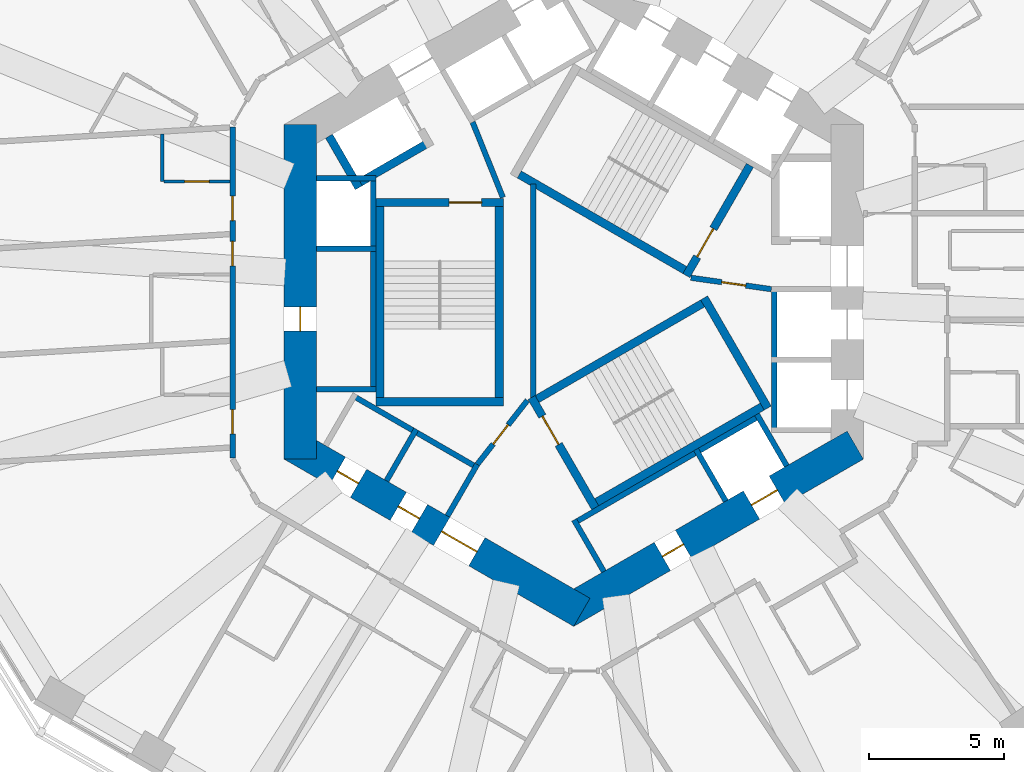
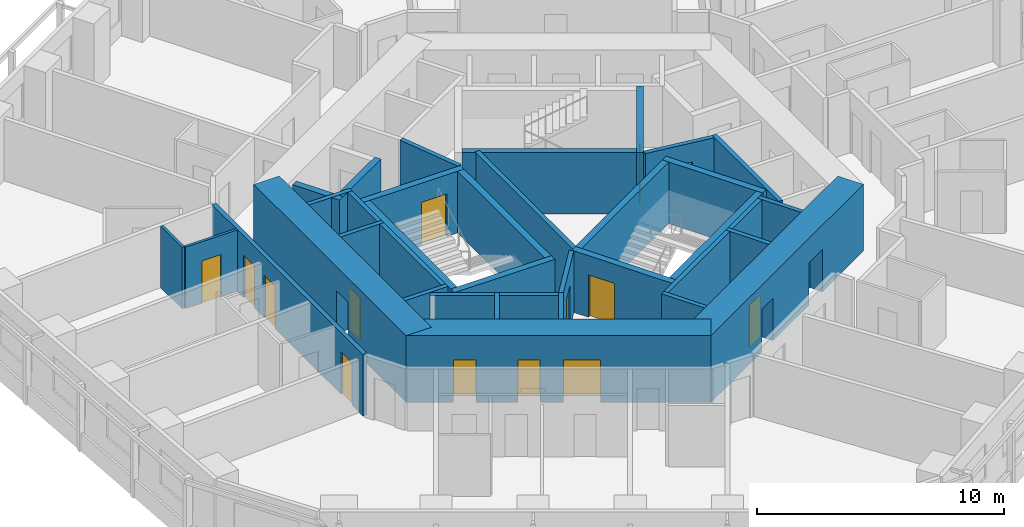
# One storey, part 5 of 12: 34 walls, 15 doors, 15 openings.
"""IFC4 building model written with IfcOpenShell, lengths in metres."""

from ifc_helpers import new_model, si_unit, direction, frame, frame_2d, origin, place, context, subcontext, project, spatial, rectangle, extrude, material, layer, layer_set, type_object, element, fill, save


model = new_model("IFC4")

# Units and contexts
model_context = context("Model", 3, precision=1e-05, world=origin(), true_north=direction((0.0, 1.0)))
body_context = subcontext(model_context, "Body", "Model", "MODEL_VIEW")
ifc_project = project(units=[si_unit("LENGTHUNIT", "METRE"), si_unit("AREAUNIT", "SQUARE_METRE"), si_unit("VOLUMEUNIT", "CUBIC_METRE"), si_unit("PLANEANGLEUNIT", "RADIAN"), si_unit("MASSUNIT", "GRAM", prefix="KILO")], contexts=[model_context])

# Site, building, storey
site_placement = place(None, origin())
site = spatial("IfcSite", under=ifc_project, at=site_placement, CompositionType="ELEMENT")
building_placement = place(site_placement, origin())
building = spatial("IfcBuilding", under=site, at=building_placement, Name="Vanh Sen Convention Tower", CompositionType="ELEMENT")
storey_placement = place(building_placement, frame((0.0, 0.0, 57.199951171875)))
storey = spatial("IfcBuildingStorey", under=building, at=storey_placement, Name="L11", CompositionType="ELEMENT", Elevation=57.199951171875)

# Wall
ifc_material_1 = material(Name="Moisture-resistant gypsum board on steel studs", Category="steel")
ifc_layer_1 = layer(ifc_material_1, 0.1201171875)
ifc_layer_set_1 = layer_set([ifc_layer_1], Name="Moisture-resistant gypsum board on steel studs")
wall_type_1 = type_object("IfcWallType", Name="Bathroom partition 120", PredefinedType="PARTITIONING", material=ifc_layer_set_1)
wall_1_placement = place(storey_placement, frame((-15.199951171875, 4.081298828125, 0.0), z_axis=(0.0, 0.0, 1.0), x_axis=(0.0, 1.0, 0.0)))
element("IfcWall", 1, at=wall_1_placement, inside=storey, type_object=wall_type_1, Name="Bathroom partition 120", PredefinedType="PARTITIONING", context=body_context, shape_type="SweptSolid", body=[
    extrude(rectangle(XDim=1.740966796875, YDim=0.1201171875, at=frame_2d((0.87060546875, 0.0))), origin(), (0.0, 0.0, 1.0), 3.050048828125),
])

# Wall, opening, door
wall_2_placement = place(storey_placement, frame((-12.699951171875, 4.081298828125, 0.0), z_axis=(0.0, 0.0, 1.0), x_axis=(-1.0, 0.0, 0.0)))
wall_2 = element("IfcWall", 2, at=wall_2_placement, inside=storey, type_object=wall_type_1, Name="Bathroom partition 120", PredefinedType="PARTITIONING", context=body_context, shape_type="SweptSolid", body=[
    extrude(rectangle(XDim=2.43994140625, YDim=0.1201171875, at=frame_2d((1.219970703125, 0.0))), origin(), (0.0, 0.0, 1.0), 3.050048828125),
])
opening_1_placement = place(wall_2_placement, frame((0.77001953125, 0.0, 0.0)))
opening_1 = element("IfcOpeningElement", 3, at=opening_1_placement, cuts=wall_2, Name="Opening D10121", PredefinedType="OPENING", context=body_context, shape_type="SweptSolid", body=[
    extrude(rectangle(XDim=0.89990234375, YDim=2.10009765625, at=frame_2d((0.449951171875, 1.050048828125))), frame((0.0, 0.070068359375, 0.0), z_axis=(0.0, -1.0, 0.0), x_axis=(1.0, 0.0, 0.0)), (0.0, 0.0, 1.0), 0.14013671875),
])
ifc_material_2 = material(Name="Laminate door in steel frame", Category="steel")
door_type_1 = type_object("IfcDoorType", Name="En-suite door 900", OperationType="SINGLE_SWING_LEFT", PredefinedType="DOOR", material=ifc_material_2)
door_1_placement = place(opening_1_placement, origin())
door_1 = element("IfcDoor", 4, at=door_1_placement, inside=storey, type_object=door_type_1, Name="En-suite door D10121", OperationType="SINGLE_SWING_LEFT", OverallHeight=2.10009765625, OverallWidth=0.89990234375, PredefinedType="DOOR", context=body_context, shape_type="SweptSolid", body=[
    extrude(rectangle(XDim=0.89990234375, YDim=2.10009765625, at=frame_2d((0.449951171875, 1.050048828125))), frame((0.0, 0.02490234375, 0.0), z_axis=(0.0, -1.0, 0.0), x_axis=(1.0, 0.0, 0.0)), (0.0, 0.0, 1.0), 0.050048828125),
])
fill(opening_1, door_1)

ifc_material_3 = material(Name="Concrete C80/95", Category="concrete")
ifc_layer_2 = layer(ifc_material_3, 1.199951171875)
ifc_layer_set_2 = layer_set([ifc_layer_2], Name="Concrete C80/95")
wall_type_2 = type_object("IfcWallType", Name="Core outer wall 1200 C80/95", PredefinedType="SHEAR", material=ifc_layer_set_2)
wall_3_placement = place(storey_placement, frame((-10.10009765625, 6.177490234375, 0.0), z_axis=(0.0, 0.0, 1.0), x_axis=(0.0, -1.0, 0.0)))
wall_3 = element("IfcWall", 5, at=wall_3_placement, inside=storey, type_object=wall_type_2, Name="Core wall face W L11", PredefinedType="SHEAR", context=body_context, shape_type="SweptSolid", body=[
    extrude(rectangle(XDim=12.35498046875, YDim=1.199951171875, at=frame_2d((6.177490234375, 0.0))), origin(), (0.0, 0.0, 1.0), 3.300048828125),
])
opening_2_placement = place(wall_3_placement, frame((6.7275390625, 0.0, 0.0)))
opening_2 = element("IfcOpeningElement", 6, at=opening_2_placement, cuts=wall_3, Name="Opening D10009", PredefinedType="OPENING", context=body_context, shape_type="SweptSolid", body=[
    extrude(rectangle(XDim=0.89990234375, YDim=2.10009765625, at=frame_2d((0.449951171875, 1.050048828125))), frame((0.0, 0.60986328125, 0.0), z_axis=(0.0, -1.0, 0.0), x_axis=(1.0, 0.0, 0.0)), (0.0, 0.0, 1.0), 1.219970703125),
])
ifc_material_4 = material(Name="Steel S355", Category="steel")
door_type_2 = type_object("IfcDoorType", Name="Plant door 900", OperationType="SINGLE_SWING_LEFT", PredefinedType="DOOR", material=ifc_material_4)
door_2_placement = place(opening_2_placement, origin())
door_2 = element("IfcDoor", 7, at=door_2_placement, inside=storey, type_object=door_type_2, Name="Plant door D10009", OperationType="SINGLE_SWING_LEFT", OverallHeight=2.10009765625, OverallWidth=0.89990234375, PredefinedType="DOOR", context=body_context, shape_type="SweptSolid", body=[
    extrude(rectangle(XDim=0.89990234375, YDim=2.10009765625, at=frame_2d((0.449951171875, 1.050048828125))), frame((0.0, 0.02490234375, 0.0), z_axis=(0.0, -1.0, 0.0), x_axis=(1.0, 0.0, 0.0)), (0.0, 0.0, 1.0), 0.050048828125),
])
fill(opening_2, door_2)

# Wall, openings, doors
wall_4_placement = place(storey_placement, frame((-10.39990234375, -5.657958984375, 0.0), z_axis=(0.0, 0.0, 1.0), x_axis=(0.866021384402, -0.500006961711, 0.0)))
wall_4 = element("IfcWall", 8, at=wall_4_placement, inside=storey, type_object=wall_type_2, Name="Core wall face SW L11", PredefinedType="SHEAR", context=body_context, shape_type="SweptSolid", body=[
    extrude(rectangle(XDim=12.355224609375, YDim=1.199951171875, at=frame_2d((6.177734375, 0.0))), origin(), (0.0, 0.0, 1.0), 3.300048828125),
])
opening_3_placement = place(wall_4_placement, frame((6.377685546875, 0.0, 0.0)))
opening_3 = element("IfcOpeningElement", 9, at=opening_3_placement, cuts=wall_4, Name="Opening D10003", PredefinedType="OPENING", context=body_context, shape_type="SweptSolid", body=[
    extrude(rectangle(XDim=1.5, YDim=2.10009765625, at=frame_2d((0.75, 1.050048828125))), frame((0.0, 0.60986328125, 0.0), z_axis=(0.0, -1.0, 0.0), x_axis=(1.0, 0.0, 0.0)), (0.0, 0.0, 1.0), 1.219970703125),
])
opening_4_placement = place(wall_4_placement, frame((1.927734375, 0.0, 0.0)))
opening_4 = element("IfcOpeningElement", 10, at=opening_4_placement, cuts=wall_4, Name="Opening D10010", PredefinedType="OPENING", context=body_context, shape_type="SweptSolid", body=[
    extrude(rectangle(XDim=0.89990234375, YDim=2.10009765625, at=frame_2d((0.449951171875, 1.050048828125))), frame((0.0, 0.60986328125, 0.0), z_axis=(0.0, -1.0, 0.0), x_axis=(1.0, 0.0, 0.0)), (0.0, 0.0, 1.0), 1.219970703125),
])
opening_5_placement = place(wall_4_placement, frame((4.527587890625, 0.0, 0.0)))
opening_5 = element("IfcOpeningElement", 11, at=opening_5_placement, cuts=wall_4, Name="Opening D10011", PredefinedType="OPENING", context=body_context, shape_type="SweptSolid", body=[
    extrude(rectangle(XDim=0.89990234375, YDim=2.10009765625, at=frame_2d((0.449951171875, 1.050048828125))), frame((0.0, 0.60986328125, 0.0), z_axis=(0.0, -1.0, 0.0), x_axis=(1.0, 0.0, 0.0)), (0.0, 0.0, 1.0), 1.219970703125),
])
door_3_placement = place(opening_4_placement, origin())
door_3 = element("IfcDoor", 12, at=door_3_placement, inside=storey, type_object=door_type_2, Name="Plant door D10010", OperationType="SINGLE_SWING_LEFT", OverallHeight=2.10009765625, OverallWidth=0.89990234375, PredefinedType="DOOR", context=body_context, shape_type="SweptSolid", body=[
    extrude(rectangle(XDim=0.89990234375, YDim=2.10009765625, at=frame_2d((0.449951171875, 1.050048828125))), frame((0.0, 0.02490234375, 0.0), z_axis=(0.0, -1.0, 0.0), x_axis=(1.0, 0.0, 0.0)), (0.0, 0.0, 1.0), 0.050048828125),
])
fill(opening_4, door_3)
door_4_placement = place(opening_5_placement, origin())
door_4 = element("IfcDoor", 13, at=door_4_placement, inside=storey, type_object=door_type_2, Name="Plant door D10011", OperationType="SINGLE_SWING_LEFT", OverallHeight=2.10009765625, OverallWidth=0.89990234375, PredefinedType="DOOR", context=body_context, shape_type="SweptSolid", body=[
    extrude(rectangle(XDim=0.89990234375, YDim=2.10009765625, at=frame_2d((0.449951171875, 1.050048828125))), frame((0.0, 0.02490234375, 0.0), z_axis=(0.0, -1.0, 0.0), x_axis=(1.0, 0.0, 0.0)), (0.0, 0.0, 1.0), 0.050048828125),
])
fill(opening_5, door_4)
door_type_3 = type_object("IfcDoorType", Name="Stair lobby door 1500", OperationType="DOUBLE_DOOR_SINGLE_SWING", PredefinedType="DOOR", material=ifc_material_4)
door_5_placement = place(opening_3_placement, origin())
door_5 = element("IfcDoor", 14, at=door_5_placement, inside=storey, type_object=door_type_3, Name="Stair lobby door D10003", OperationType="DOUBLE_DOOR_SINGLE_SWING", OverallHeight=2.10009765625, OverallWidth=1.5, PredefinedType="DOOR", context=body_context, shape_type="SweptSolid", body=[
    extrude(rectangle(XDim=1.5, YDim=2.10009765625, at=frame_2d((0.75, 1.050048828125))), frame((0.0, 0.02490234375, 0.0), z_axis=(0.0, -1.0, 0.0), x_axis=(1.0, 0.0, 0.0)), (0.0, 0.0, 1.0), 0.050048828125),
])
fill(opening_3, door_5)

wall_5_placement = place(storey_placement, frame((-0.300048828125, -11.835693359375, 0.0), z_axis=(0.0, 0.0, 1.0), x_axis=(0.866021384402, 0.500006961711, 0.0)))
wall_5 = element("IfcWall", 15, at=wall_5_placement, inside=storey, type_object=wall_type_2, Name="Core wall face SE L11", PredefinedType="SHEAR", context=body_context, shape_type="SweptSolid", body=[
    extrude(rectangle(XDim=12.355224609375, YDim=1.199951171875, at=frame_2d((6.177734375, 0.0))), origin(), (0.0, 0.0, 1.0), 3.300048828125),
])
opening_6_placement = place(wall_5_placement, frame((4.127685546875, 0.0, 0.0)))
opening_6 = element("IfcOpeningElement", 16, at=opening_6_placement, cuts=wall_5, Name="Opening D10012", PredefinedType="OPENING", context=body_context, shape_type="SweptSolid", body=[
    extrude(rectangle(XDim=0.89990234375, YDim=2.10009765625, at=frame_2d((0.449951171875, 1.050048828125))), frame((0.0, 0.60986328125, 0.0), z_axis=(0.0, -1.0, 0.0), x_axis=(1.0, 0.0, 0.0)), (0.0, 0.0, 1.0), 1.219970703125),
])
opening_7_placement = place(wall_5_placement, frame((7.927734375, 0.0, 0.0)))
opening_7 = element("IfcOpeningElement", 17, at=opening_7_placement, cuts=wall_5, Name="Opening LD-SV1", PredefinedType="OPENING", context=body_context, shape_type="SweptSolid", body=[
    extrude(rectangle(XDim=1.10009765625, YDim=2.10009765625, at=frame_2d((0.550048828125, 1.050048828125))), frame((0.0, 0.60986328125, 0.0), z_axis=(0.0, -1.0, 0.0), x_axis=(1.0, 0.0, 0.0)), (0.0, 0.0, 1.0), 1.219970703125),
])
ifc_material_5 = material(Name="Stainless steel", Category="steel")
door_type_4 = type_object("IfcDoorType", Name="Lift landing door 1100", OperationType="DOUBLE_DOOR_SLIDING", PredefinedType="DOOR", material=ifc_material_5)
door_6_placement = place(opening_7_placement, origin())
door_6 = element("IfcDoor", 18, at=door_6_placement, inside=storey, type_object=door_type_4, Name="Lift SV1 landing door LD-SV1", OperationType="DOUBLE_DOOR_SLIDING", OverallHeight=2.10009765625, OverallWidth=1.10009765625, PredefinedType="DOOR", context=body_context, shape_type="SweptSolid", body=[
    extrude(rectangle(XDim=1.10009765625, YDim=2.10009765625, at=frame_2d((0.550048828125, 1.050048828125))), frame((0.0, 0.02490234375, 0.0), z_axis=(0.0, -1.0, 0.0), x_axis=(1.0, 0.0, 0.0)), (0.0, 0.0, 1.0), 0.050048828125),
])
fill(opening_7, door_6)
door_7_placement = place(opening_6_placement, origin())
door_7 = element("IfcDoor", 19, at=door_7_placement, inside=storey, type_object=door_type_2, Name="Plant door D10012", OperationType="SINGLE_SWING_LEFT", OverallHeight=2.10009765625, OverallWidth=0.89990234375, PredefinedType="DOOR", context=body_context, shape_type="SweptSolid", body=[
    extrude(rectangle(XDim=0.89990234375, YDim=2.10009765625, at=frame_2d((0.449951171875, 1.050048828125))), frame((0.0, 0.02490234375, 0.0), z_axis=(0.0, -1.0, 0.0), x_axis=(1.0, 0.0, 0.0)), (0.0, 0.0, 1.0), 0.050048828125),
])
fill(opening_6, door_7)

# Wall
ifc_material_6 = material(Name="Masonry blockwork", Category="masonry")
ifc_layer_3 = layer(ifc_material_6, 0.199951171875)
ifc_layer_set_3 = layer_set([ifc_layer_3], Name="Masonry blockwork")
wall_type_3 = type_object("IfcWallType", Name="Core partition 200", PredefinedType="PARTITIONING", material=ifc_layer_set_3)
wall_6_placement = place(storey_placement, frame((-1.5, -3.98828125, 0.0), z_axis=(0.0, 0.0, 1.0), x_axis=(0.0, 1.0, 0.0)))
element("IfcWall", 20, at=wall_6_placement, inside=storey, type_object=wall_type_3, Name="Core partition L11", PredefinedType="PARTITIONING", context=body_context, shape_type="SweptSolid", body=[
    extrude(rectangle(XDim=7.9765625, YDim=0.199951171875, at=frame_2d((3.98828125, 0.0))), origin(), (0.0, 0.0, 1.0), 3.050048828125),
])

# Wall, openings, doors
ifc_material_7 = material(Name="Gypsum board on steel studs with mineral wool", Category="steel")
ifc_layer_4 = layer(ifc_material_7, 0.199951171875)
ifc_layer_set_4 = layer_set([ifc_layer_4], Name="Gypsum board on steel studs with mineral wool")
wall_type_4 = type_object("IfcWallType", Name="Corridor partition wall 200", PredefinedType="PARTITIONING", material=ifc_layer_set_4)
wall_7_placement = place(storey_placement, frame((-12.60009765625, 6.081298828125, 0.0), z_axis=(0.0, 0.0, 1.0), x_axis=(0.0, -1.0, 0.0)))
wall_7 = element("IfcWall", 21, at=wall_7_placement, inside=storey, type_object=wall_type_4, Name="Corridor partition wall 200", PredefinedType="PARTITIONING", context=body_context, shape_type="SweptSolid", body=[
    extrude(rectangle(XDim=12.218994140625, YDim=0.199951171875, at=frame_2d((6.109375, 0.0))), origin(), (0.0, 0.0, 1.0), 3.050048828125),
])
opening_8_placement = place(wall_7_placement, frame((2.5458984375, 0.0, 0.0)))
opening_8 = element("IfcOpeningElement", 22, at=opening_8_placement, cuts=wall_7, Name="Opening D10120", PredefinedType="OPENING", context=body_context, shape_type="SweptSolid", body=[
    extrude(rectangle(XDim=0.89990234375, YDim=2.10009765625, at=frame_2d((0.449951171875, 1.050048828125))), frame((0.0, 0.10986328125, 0.0), z_axis=(0.0, -1.0, 0.0), x_axis=(1.0, 0.0, 0.0)), (0.0, 0.0, 1.0), 0.219970703125),
])
opening_9_placement = place(wall_7_placement, frame((4.216796875, 0.0, 0.0)))
opening_9 = element("IfcOpeningElement", 23, at=opening_9_placement, cuts=wall_7, Name="Opening D10122", PredefinedType="OPENING", context=body_context, shape_type="SweptSolid", body=[
    extrude(rectangle(XDim=0.89990234375, YDim=2.10009765625, at=frame_2d((0.449951171875, 1.050048828125))), frame((0.0, 0.10986328125, 0.0), z_axis=(0.0, -1.0, 0.0), x_axis=(1.0, 0.0, 0.0)), (0.0, 0.0, 1.0), 0.219970703125),
])
opening_10_placement = place(wall_7_placement, frame((10.4296875, 0.0, 0.0)))
opening_10 = element("IfcOpeningElement", 24, at=opening_10_placement, cuts=wall_7, Name="Opening D10124", PredefinedType="OPENING", context=body_context, shape_type="SweptSolid", body=[
    extrude(rectangle(XDim=0.89990234375, YDim=2.10009765625, at=frame_2d((0.449951171875, 1.050048828125))), frame((0.0, 0.10986328125, 0.0), z_axis=(0.0, -1.0, 0.0), x_axis=(1.0, 0.0, 0.0)), (0.0, 0.0, 1.0), 0.219970703125),
])
ifc_material_8 = material(Name="Timber fire door in steel frame", Category="steel")
door_type_5 = type_object("IfcDoorType", Name="Guest room door 900", OperationType="SINGLE_SWING_LEFT", PredefinedType="DOOR", material=ifc_material_8)
door_8_placement = place(opening_8_placement, origin())
door_8 = element("IfcDoor", 25, at=door_8_placement, inside=storey, type_object=door_type_5, Name="Hotel guest room door D10120", OperationType="SINGLE_SWING_LEFT", OverallHeight=2.10009765625, OverallWidth=0.89990234375, PredefinedType="DOOR", context=body_context, shape_type="SweptSolid", body=[
    extrude(rectangle(XDim=0.89990234375, YDim=2.10009765625, at=frame_2d((0.449951171875, 1.050048828125))), frame((0.0, 0.02490234375, 0.0), z_axis=(0.0, -1.0, 0.0), x_axis=(1.0, 0.0, 0.0)), (0.0, 0.0, 1.0), 0.050048828125),
])
fill(opening_8, door_8)
door_9_placement = place(opening_9_placement, origin())
door_9 = element("IfcDoor", 26, at=door_9_placement, inside=storey, type_object=door_type_5, Name="Hotel guest room door D10122", OperationType="SINGLE_SWING_LEFT", OverallHeight=2.10009765625, OverallWidth=0.89990234375, PredefinedType="DOOR", context=body_context, shape_type="SweptSolid", body=[
    extrude(rectangle(XDim=0.89990234375, YDim=2.10009765625, at=frame_2d((0.449951171875, 1.050048828125))), frame((0.0, 0.02490234375, 0.0), z_axis=(0.0, -1.0, 0.0), x_axis=(1.0, 0.0, 0.0)), (0.0, 0.0, 1.0), 0.050048828125),
])
fill(opening_9, door_9)
door_10_placement = place(opening_10_placement, origin())
door_10 = element("IfcDoor", 27, at=door_10_placement, inside=storey, type_object=door_type_5, Name="Hotel guest room door D10124", OperationType="SINGLE_SWING_LEFT", OverallHeight=2.10009765625, OverallWidth=0.89990234375, PredefinedType="DOOR", context=body_context, shape_type="SweptSolid", body=[
    extrude(rectangle(XDim=0.89990234375, YDim=2.10009765625, at=frame_2d((0.449951171875, 1.050048828125))), frame((0.0, 0.02490234375, 0.0), z_axis=(0.0, -1.0, 0.0), x_axis=(1.0, 0.0, 0.0)), (0.0, 0.0, 1.0), 0.050048828125),
])
fill(opening_10, door_10)

# Walls
ifc_material_9 = material(Name="Concrete C60/75", Category="concrete")
ifc_layer_5 = layer(ifc_material_9, 0.300048828125)
ifc_layer_set_5 = layer_set([ifc_layer_5], Name="Concrete C60/75")
wall_type_5 = type_object("IfcWallType", Name="Fire-fighting lift shaft wall 300", PredefinedType="SHEAR", material=ifc_layer_set_5)
wall_8_placement = place(storey_placement, frame((-5.240478515625, 5.576904296875, 0.0), z_axis=(0.0, 0.0, 1.0), x_axis=(-0.866014461049, -0.500018952895, 0.0)))
element("IfcWall", 28, at=wall_8_placement, inside=storey, type_object=wall_type_5, Name="Fire-fighting lift shaft wall L11", PredefinedType="SHEAR", context=body_context, shape_type="SweptSolid", body=[
    extrude(rectangle(XDim=3.349853515625, YDim=0.300048828125, at=frame_2d((1.6748046875, 0.0))), origin(), (0.0, 0.0, 1.0), 3.050048828125),
])
wall_9_placement = place(storey_placement, frame((-7.936767578125, 3.846923828125, 0.0), z_axis=(0.0, 0.0, 1.0), x_axis=(-0.50002983664, 0.866008176907, 0.0)))
element("IfcWall", 29, at=wall_9_placement, inside=storey, type_object=wall_type_5, Name="Fire-fighting lift shaft wall L11", PredefinedType="SHEAR", context=body_context, shape_type="SweptSolid", body=[
    extrude(rectangle(XDim=2.199951171875, YDim=0.300048828125, at=frame_2d((1.10009765625, 0.0))), origin(), (0.0, 0.0, 1.0), 3.050048828125),
])
ifc_material_10 = material(Name="Concrete C40/50", Category="concrete")
ifc_layer_6 = layer(ifc_material_10, 0.199951171875)
ifc_layer_set_6 = layer_set([ifc_layer_6], Name="Concrete C40/50")
wall_type_6 = type_object("IfcWallType", Name="Lift shaft wall 200", PredefinedType="PARTITIONING", material=ifc_layer_set_6)
wall_10_placement = place(storey_placement, frame((7.39990234375, -5.199951171875, 0.0), z_axis=(0.0, 0.0, 1.0), x_axis=(0.0, 1.0, 0.0)))
element("IfcWall", 30, at=wall_10_placement, inside=storey, type_object=wall_type_6, Name="Lift shaft wall L11", PredefinedType="PARTITIONING", context=body_context, shape_type="SweptSolid", body=[
    extrude(rectangle(XDim=5.39990234375, YDim=0.199951171875, at=frame_2d((2.699951171875, 0.0))), origin(), (0.0, 0.0, 1.0), 3.050048828125),
])
wall_11_placement = place(storey_placement, frame((-7.39990234375, 4.300048828125, 0.0), z_axis=(0.0, 0.0, 1.0), x_axis=(0.0, -1.0, 0.0)))
element("IfcWall", 31, at=wall_11_placement, inside=storey, type_object=wall_type_6, Name="Lift shaft wall L11", PredefinedType="PARTITIONING", context=body_context, shape_type="SweptSolid", body=[
    extrude(rectangle(XDim=8.0, YDim=0.199951171875, at=frame_2d((4.0, 0.0))), origin(), (0.0, 0.0, 1.0), 3.050048828125),
])
for number, where, z_axis, x_axis, name in (
    (32, (-7.300048828125, 4.199951171875, 0.0), (0.0, 0.0, 1.0), (-1.0, 0.0, 0.0), "Lift shaft wall L11"),
    (33, (-7.300048828125, 1.60009765625, 0.0), (0.0, 0.0, 1.0), (-1.0, 0.0, 0.0), "Lift shaft wall L11"),
    (34, (-7.300048828125, -3.60009765625, 0.0), (0.0, 0.0, 1.0), (-1.0, 0.0, 0.0), "Lift shaft wall L11"),
):
    element("IfcWall", number, at=place(storey_placement, frame(where, z_axis=z_axis, x_axis=x_axis)), inside=storey, type_object=wall_type_6, Name=name, PredefinedType="PARTITIONING", context=body_context, shape_type="SweptSolid", body=[
        extrude(rectangle(XDim=2.199951171875, YDim=0.199951171875, at=frame_2d((1.10009765625, 0.0))), origin(), (0.0, 0.0, 1.0), 3.050048828125),
    ])
wall_12_placement = place(storey_placement, frame((-8.203369140625, -3.80859375, 0.0), z_axis=(0.0, 0.0, 1.0), x_axis=(0.866028230842, -0.499995103361, 0.0)))
element("IfcWall", 35, at=wall_12_placement, inside=storey, type_object=wall_type_6, Name="Lift shaft wall L11", PredefinedType="PARTITIONING", context=body_context, shape_type="SweptSolid", body=[
    extrude(rectangle(XDim=5.39990234375, YDim=0.199951171875, at=frame_2d((2.699951171875, 0.0))), origin(), (0.0, 0.0, 1.0), 3.050048828125),
])
wall_13_placement = place(storey_placement, frame((-5.815185546875, -5.072021484375, 0.0), z_axis=(0.0, 0.0, 1.0), x_axis=(-0.499946605688, -0.86605622881, 0.0)))
element("IfcWall", 36, at=wall_13_placement, inside=storey, type_object=wall_type_6, Name="Lift shaft wall L11", PredefinedType="PARTITIONING", context=body_context, shape_type="SweptSolid", body=[
    extrude(rectangle(XDim=2.199951171875, YDim=0.199951171875, at=frame_2d((1.10009765625, 0.0))), origin(), (0.0, 0.0, 1.0), 3.050048828125),
])
wall_14_placement = place(storey_placement, frame((-3.5634765625, -6.3720703125, 0.0), z_axis=(0.0, 0.0, 1.0), x_axis=(-0.499994660107, -0.866028486751, 0.0)))
element("IfcWall", 37, at=wall_14_placement, inside=storey, type_object=wall_type_6, Name="Lift shaft wall L11", PredefinedType="PARTITIONING", context=body_context, shape_type="SweptSolid", body=[
    extrude(rectangle(XDim=2.19970703125, YDim=0.199951171875, at=frame_2d((1.099853515625, 0.0))), origin(), (0.0, 0.0, 1.0), 3.050048828125),
])
wall_15_placement = place(storey_placement, frame((-0.02392578125, -8.55859375, 0.0), z_axis=(0.0, 0.0, 1.0), x_axis=(0.866026010844, 0.49999894854, 0.0)))
element("IfcWall", 38, at=wall_15_placement, inside=storey, type_object=wall_type_6, Name="Lift shaft wall L11", PredefinedType="PARTITIONING", context=body_context, shape_type="SweptSolid", body=[
    extrude(rectangle(XDim=8.0, YDim=0.199951171875, at=frame_2d((4.0, 0.0))), origin(), (0.0, 0.0, 1.0), 3.050048828125),
])
for number, where, z_axis, x_axis, name in (
    (39, (0.0126953125, -8.422119140625, 0.0), (0.0, 0.0, 1.0), (0.500077893725, -0.86598042715, 0.0), "Lift shaft wall L11"),
    (40, (4.51611328125, -5.822021484375, 0.0), (0.0, 0.0, 1.0), (0.499946605688, -0.86605622881, 0.0), "Lift shaft wall L11"),
    (41, (6.767578125, -4.52197265625, 0.0), (0.0, 0.0, 1.0), (0.50002983664, -0.866008176907, 0.0), "Lift shaft wall L11"),
):
    element("IfcWall", number, at=place(storey_placement, frame(where, z_axis=z_axis, x_axis=x_axis)), inside=storey, type_object=wall_type_6, Name=name, PredefinedType="PARTITIONING", context=body_context, shape_type="SweptSolid", body=[
        extrude(rectangle(XDim=2.199951171875, YDim=0.199951171875, at=frame_2d((1.10009765625, 0.0))), origin(), (0.0, 0.0, 1.0), 3.050048828125),
    ])

# Wall, opening, door
ifc_layer_7 = layer(ifc_material_10, 0.199951171875)
ifc_layer_set_7 = layer_set([ifc_layer_7], Name="Concrete C40/50")
wall_type_7 = type_object("IfcWallType", Name="Stair lobby wall 200", PredefinedType="PARTITIONING", material=ifc_layer_set_7)
wall_16_placement = place(storey_placement, frame((4.327392578125, 0.52099609375, 0.0), z_axis=(0.0, 0.0, 1.0), x_axis=(0.990124376366, -0.14019172346, 0.0)))
wall_16 = element("IfcWall", 42, at=wall_16_placement, inside=storey, type_object=wall_type_7, Name="Stair lobby wall L11", PredefinedType="PARTITIONING", context=body_context, shape_type="SweptSolid", body=[
    extrude(rectangle(XDim=3.002197265625, YDim=0.199951171875, at=frame_2d((1.5009765625, 0.0))), origin(), (0.0, 0.0, 1.0), 3.050048828125),
])
opening_11_placement = place(wall_16_placement, frame((1.14990234375, 0.0, 0.0)))
opening_11 = element("IfcOpeningElement", 43, at=opening_11_placement, cuts=wall_16, Name="Opening D10007", PredefinedType="OPENING", context=body_context, shape_type="SweptSolid", body=[
    extrude(rectangle(XDim=0.89990234375, YDim=2.10009765625, at=frame_2d((0.449951171875, 1.050048828125))), frame((0.0, 0.10986328125, 0.0), z_axis=(0.0, -1.0, 0.0), x_axis=(1.0, 0.0, 0.0)), (0.0, 0.0, 1.0), 0.219970703125),
])
door_11_placement = place(opening_11_placement, origin())
door_11 = element("IfcDoor", 44, at=door_11_placement, inside=storey, type_object=door_type_2, Name="Plant door D10007", OperationType="SINGLE_SWING_LEFT", OverallHeight=2.10009765625, OverallWidth=0.89990234375, PredefinedType="DOOR", context=body_context, shape_type="SweptSolid", body=[
    extrude(rectangle(XDim=0.89990234375, YDim=2.10009765625, at=frame_2d((0.449951171875, 1.050048828125))), frame((0.0, 0.02490234375, 0.0), z_axis=(0.0, -1.0, 0.0), x_axis=(1.0, 0.0, 0.0)), (0.0, 0.0, 1.0), 0.050048828125),
])
fill(opening_11, door_11)

# Wall
wall_17_placement = place(storey_placement, frame((-2.614990234375, 3.487060546875, 0.0), z_axis=(0.0, 0.0, 1.0), x_axis=(-0.373576831041, 0.92759924068, 0.0)))
element("IfcWall", 45, at=wall_17_placement, inside=storey, type_object=wall_type_7, Name="Stair lobby wall L11", PredefinedType="PARTITIONING", context=body_context, shape_type="SweptSolid", body=[
    extrude(rectangle(XDim=3.002197265625, YDim=0.199951171875, at=frame_2d((1.5009765625, 0.0))), origin(), (0.0, 0.0, 1.0), 3.050048828125),
])

# Wall, opening, door
wall_18_placement = place(storey_placement, frame((-1.71240234375, -4.00830078125, 0.0), z_axis=(0.0, 0.0, 1.0), x_axis=(-0.616549420702, -0.787316208287, 0.0)))
wall_18 = element("IfcWall", 46, at=wall_18_placement, inside=storey, type_object=wall_type_7, Name="Stair lobby wall L11", PredefinedType="PARTITIONING", context=body_context, shape_type="SweptSolid", body=[
    extrude(rectangle(XDim=3.002197265625, YDim=0.199951171875, at=frame_2d((1.5009765625, 0.0))), origin(), (0.0, 0.0, 1.0), 3.050048828125),
])
opening_12_placement = place(wall_18_placement, frame((1.14990234375, 0.0, 0.0)))
opening_12 = element("IfcOpeningElement", 47, at=opening_12_placement, cuts=wall_18, Name="Opening D10008", PredefinedType="OPENING", context=body_context, shape_type="SweptSolid", body=[
    extrude(rectangle(XDim=0.89990234375, YDim=2.10009765625, at=frame_2d((0.449951171875, 1.050048828125))), frame((0.0, 0.10986328125, 0.0), z_axis=(0.0, -1.0, 0.0), x_axis=(1.0, 0.0, 0.0)), (0.0, 0.0, 1.0), 0.219970703125),
])
door_12_placement = place(opening_12_placement, origin())
door_12 = element("IfcDoor", 48, at=door_12_placement, inside=storey, type_object=door_type_2, Name="Plant door D10008", OperationType="SINGLE_SWING_LEFT", OverallHeight=2.10009765625, OverallWidth=0.89990234375, PredefinedType="DOOR", context=body_context, shape_type="SweptSolid", body=[
    extrude(rectangle(XDim=0.89990234375, YDim=2.10009765625, at=frame_2d((0.449951171875, 1.050048828125))), frame((0.0, 0.02490234375, 0.0), z_axis=(0.0, -1.0, 0.0), x_axis=(1.0, 0.0, 0.0)), (0.0, 0.0, 1.0), 0.050048828125),
])
fill(opening_12, door_12)

ifc_layer_8 = layer(ifc_material_9, 0.300048828125)
ifc_layer_set_8 = layer_set([ifc_layer_8], Name="Concrete C60/75")
wall_type_8 = type_object("IfcWallType", Name="Stair wall 300", PredefinedType="SHEAR", material=ifc_layer_set_8)
wall_19_placement = place(storey_placement, frame((4.157958984375, 0.601806640625, 0.0), z_axis=(0.0, 0.0, 1.0), x_axis=(0.499977259774, 0.866038532462, 0.0)))
wall_19 = element("IfcWall", 49, at=wall_19_placement, inside=storey, type_object=wall_type_8, Name="Stair wall L11", PredefinedType="SHEAR", context=body_context, shape_type="SweptSolid", body=[
    extrude(rectangle(XDim=4.699951171875, YDim=0.300048828125, at=frame_2d((2.35009765625, 0.0))), origin(), (0.0, 0.0, 1.0), 3.050048828125),
])
opening_13_placement = place(wall_19_placement, frame((0.800048828125, 0.0, 0.0)))
opening_13 = element("IfcOpeningElement", 50, at=opening_13_placement, cuts=wall_19, Name="Opening D10004", PredefinedType="OPENING", context=body_context, shape_type="SweptSolid", body=[
    extrude(rectangle(XDim=1.199951171875, YDim=2.10009765625, at=frame_2d((0.60009765625, 1.050048828125))), frame((0.0, 0.159912109375, 0.0), z_axis=(0.0, -1.0, 0.0), x_axis=(1.0, 0.0, 0.0)), (0.0, 0.0, 1.0), 0.320068359375),
])
door_type_6 = type_object("IfcDoorType", Name="Stair door 1200", OperationType="SINGLE_SWING_RIGHT", PredefinedType="DOOR", material=ifc_material_4)
door_13_placement = place(opening_13_placement, origin())
door_13 = element("IfcDoor", 51, at=door_13_placement, inside=storey, type_object=door_type_6, Name="Stair ST1 door D10004", OperationType="SINGLE_SWING_RIGHT", OverallHeight=2.10009765625, OverallWidth=1.199951171875, PredefinedType="DOOR", context=body_context, shape_type="SweptSolid", body=[
    extrude(rectangle(XDim=1.199951171875, YDim=2.10009765625, at=frame_2d((0.60009765625, 1.050048828125))), frame((0.0, 0.02490234375, 0.0), z_axis=(0.0, -1.0, 0.0), x_axis=(1.0, 0.0, 0.0)), (0.0, 0.0, 1.0), 0.050048828125),
])
fill(opening_13, door_13)

# Wall
wall_20_placement = place(storey_placement, frame((4.10302734375, 0.806640625, 0.0), z_axis=(0.0, 0.0, 1.0), x_axis=(-0.866027801685, 0.499995846692, 0.0)))
element("IfcWall", 52, at=wall_20_placement, inside=storey, type_object=wall_type_8, Name="Stair wall L11", PredefinedType="SHEAR", context=body_context, shape_type="SweptSolid", body=[
    extrude(rectangle(XDim=7.06005859375, YDim=0.300048828125, at=frame_2d((3.530029296875, 0.0))), origin(), (0.0, 0.0, 1.0), 3.050048828125),
])

# Wall, opening, door
wall_21_placement = place(storey_placement, frame((-2.60009765625, 3.300048828125, 0.0), z_axis=(0.0, 0.0, 1.0), x_axis=(-1.0, 0.0, 0.0)))
wall_21 = element("IfcWall", 53, at=wall_21_placement, inside=storey, type_object=wall_type_8, Name="Stair wall L11", PredefinedType="SHEAR", context=body_context, shape_type="SweptSolid", body=[
    extrude(rectangle(XDim=4.699951171875, YDim=0.300048828125, at=frame_2d((2.35009765625, 0.0))), origin(), (0.0, 0.0, 1.0), 3.050048828125),
])
opening_14_placement = place(wall_21_placement, frame((0.800048828125, 0.0, 0.0)))
opening_14 = element("IfcOpeningElement", 54, at=opening_14_placement, cuts=wall_21, Name="Opening D10005", PredefinedType="OPENING", context=body_context, shape_type="SweptSolid", body=[
    extrude(rectangle(XDim=1.199951171875, YDim=2.10009765625, at=frame_2d((0.60009765625, 1.050048828125))), frame((0.0, 0.159912109375, 0.0), z_axis=(0.0, -1.0, 0.0), x_axis=(1.0, 0.0, 0.0)), (0.0, 0.0, 1.0), 0.320068359375),
])
door_14_placement = place(opening_14_placement, origin())
door_14 = element("IfcDoor", 55, at=door_14_placement, inside=storey, type_object=door_type_6, Name="Stair ST2 door D10005", OperationType="SINGLE_SWING_RIGHT", OverallHeight=2.10009765625, OverallWidth=1.199951171875, PredefinedType="DOOR", context=body_context, shape_type="SweptSolid", body=[
    extrude(rectangle(XDim=1.199951171875, YDim=2.10009765625, at=frame_2d((0.60009765625, 1.050048828125))), frame((0.0, 0.02490234375, 0.0), z_axis=(0.0, -1.0, 0.0), x_axis=(1.0, 0.0, 0.0)), (0.0, 0.0, 1.0), 0.050048828125),
])
fill(opening_14, door_14)

# Walls
wall_22_placement = place(storey_placement, frame((-2.60009765625, -4.06005859375, 0.0), z_axis=(0.0, 0.0, 1.0), x_axis=(-1.0, 0.0, 0.0)))
element("IfcWall", 56, at=wall_22_placement, inside=storey, type_object=wall_type_8, Name="Stair wall L11", PredefinedType="SHEAR", context=body_context, shape_type="SweptSolid", body=[
    extrude(rectangle(XDim=4.699951171875, YDim=0.300048828125, at=frame_2d((2.35009765625, 0.0))), origin(), (0.0, 0.0, 1.0), 3.050048828125),
])
for number, where, z_axis, x_axis, name in (
    (57, (-2.75, 3.14990234375, 0.0), (0.0, 0.0, 1.0), (0.0, -1.0, 0.0), "Stair wall L11"),
    (58, (-7.14990234375, 3.14990234375, 0.0), (0.0, 0.0, 1.0), (0.0, -1.0, 0.0), "Stair wall L11"),
):
    element("IfcWall", number, at=place(storey_placement, frame(where, z_axis=z_axis, x_axis=x_axis)), inside=storey, type_object=wall_type_8, Name=name, PredefinedType="SHEAR", context=body_context, shape_type="SweptSolid", body=[
        extrude(rectangle(XDim=7.059814453125, YDim=0.300048828125, at=frame_2d((3.52978515625, 0.0))), origin(), (0.0, 0.0, 1.0), 3.050048828125),
    ])

# Wall, opening, door
wall_23_placement = place(storey_placement, frame((-1.557861328125, -3.901611328125, 0.0), z_axis=(0.0, 0.0, 1.0), x_axis=(0.499977259774, -0.866038532462, 0.0)))
wall_23 = element("IfcWall", 59, at=wall_23_placement, inside=storey, type_object=wall_type_8, Name="Stair wall L11", PredefinedType="SHEAR", context=body_context, shape_type="SweptSolid", body=[
    extrude(rectangle(XDim=4.699951171875, YDim=0.300048828125, at=frame_2d((2.35009765625, 0.0))), origin(), (0.0, 0.0, 1.0), 3.050048828125),
])
opening_15_placement = place(wall_23_placement, frame((0.800048828125, 0.0, 0.0)))
opening_15 = element("IfcOpeningElement", 60, at=opening_15_placement, cuts=wall_23, Name="Opening D10006", PredefinedType="OPENING", context=body_context, shape_type="SweptSolid", body=[
    extrude(rectangle(XDim=1.199951171875, YDim=2.10009765625, at=frame_2d((0.60009765625, 1.050048828125))), frame((0.0, 0.159912109375, 0.0), z_axis=(0.0, -1.0, 0.0), x_axis=(1.0, 0.0, 0.0)), (0.0, 0.0, 1.0), 0.320068359375),
])
door_15_placement = place(opening_15_placement, origin())
door_15 = element("IfcDoor", 61, at=door_15_placement, inside=storey, type_object=door_type_6, Name="Stair ST3 door D10006", OperationType="SINGLE_SWING_RIGHT", OverallHeight=2.10009765625, OverallWidth=1.199951171875, PredefinedType="DOOR", context=body_context, shape_type="SweptSolid", body=[
    extrude(rectangle(XDim=1.199951171875, YDim=2.10009765625, at=frame_2d((0.60009765625, 1.050048828125))), frame((0.0, 0.02490234375, 0.0), z_axis=(0.0, -1.0, 0.0), x_axis=(1.0, 0.0, 0.0)), (0.0, 0.0, 1.0), 0.050048828125),
])
fill(opening_15, door_15)

# Walls
wall_24_placement = place(storey_placement, frame((4.816162109375, -0.2216796875, 0.0), z_axis=(0.0, 0.0, 1.0), x_axis=(0.499977259774, -0.866038532462, 0.0)))
element("IfcWall", 62, at=wall_24_placement, inside=storey, type_object=wall_type_8, Name="Stair wall L11", PredefinedType="SHEAR", context=body_context, shape_type="SweptSolid", body=[
    extrude(rectangle(XDim=4.699951171875, YDim=0.300048828125, at=frame_2d((2.35009765625, 0.0))), origin(), (0.0, 0.0, 1.0), 3.050048828125),
])
for number, where, z_axis, x_axis, name in (
    (63, (-1.35302734375, -3.95654296875, 0.0), (0.0, 0.0, 1.0), (0.866027801685, 0.499995846692, 0.0), "Stair wall L11"),
    (64, (0.846923828125, -7.76708984375, 0.0), (0.0, 0.0, 1.0), (0.866027801685, 0.499995846692, 0.0), "Stair wall L11"),
):
    element("IfcWall", number, at=place(storey_placement, frame(where, z_axis=z_axis, x_axis=x_axis)), inside=storey, type_object=wall_type_8, Name=name, PredefinedType="SHEAR", context=body_context, shape_type="SweptSolid", body=[
        extrude(rectangle(XDim=7.06005859375, YDim=0.300048828125, at=frame_2d((3.530029296875, 0.0))), origin(), (0.0, 0.0, 1.0), 3.050048828125),
    ])

save(model, "model.ifc")
